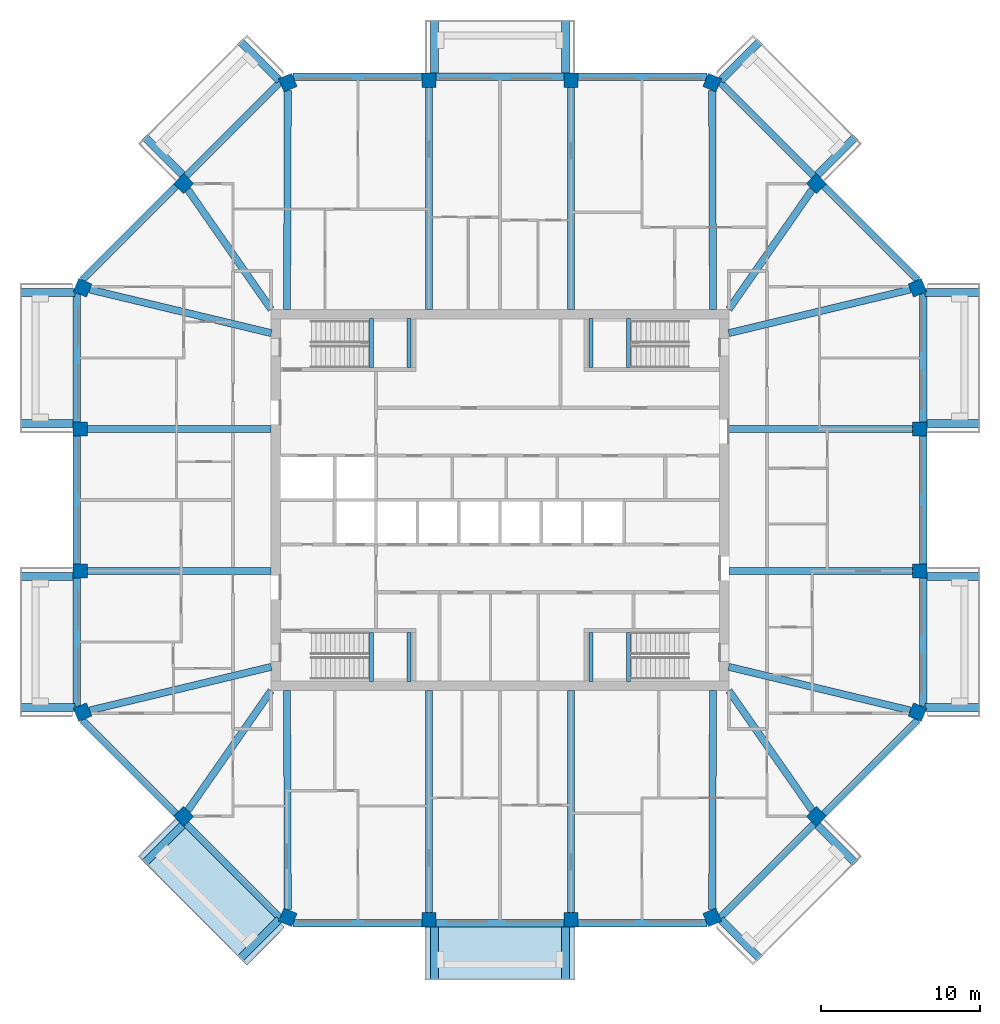
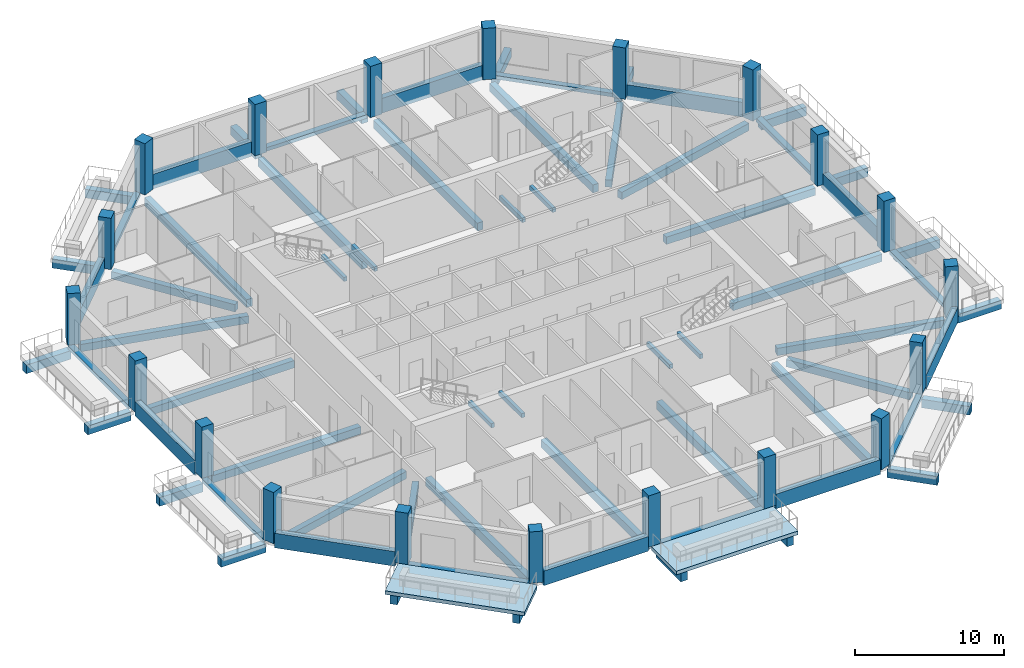
# One storey, part 1 of 12: 68 beams, 20 columns, 2 slabs.
"""IFC4 building model written with IfcOpenShell, lengths in metres."""

from ifc_helpers import new_model, si_unit, direction, frame, origin, origin_2d, place, context, subcontext, project, spatial, polyline, rectangle, outline, extrude, material, layer, layer_set, material_profile, profile_set, type_object, element, save


model = new_model("IFC4")

# Units and contexts
model_context = context("Model", 3, precision=1e-05, world=origin(), true_north=direction((0.0, 1.0)))
body_context = subcontext(model_context, "Body", "Model", "MODEL_VIEW")
ifc_project = project(units=[si_unit("LENGTHUNIT", "METRE"), si_unit("AREAUNIT", "SQUARE_METRE"), si_unit("VOLUMEUNIT", "CUBIC_METRE"), si_unit("PLANEANGLEUNIT", "RADIAN"), si_unit("MASSUNIT", "GRAM", prefix="KILO")], contexts=[model_context])

# Site, building, storey
site_placement = place(None, origin())
site = spatial("IfcSite", under=ifc_project, at=site_placement, CompositionType="ELEMENT")
building_placement = place(site_placement, origin())
building = spatial("IfcBuilding", under=site, at=building_placement, Name="Msitu Wima Residences", CompositionType="ELEMENT")
storey_placement = place(building_placement, frame((0.0, 0.0, 306.300048828125)))
storey = spatial("IfcBuildingStorey", under=building, at=storey_placement, Name="L71", CompositionType="ELEMENT", Elevation=306.300048828125)

# Columns
ifc_material_1 = material(Name="Concrete C50/60", Category="concrete")
ifc_material_profile_1 = material_profile(ifc_material_1, rectangle(XDim=0.89990234375, YDim=0.89990234375, at=origin_2d()), Name="RC 900x900")
ifc_profile_set_1 = profile_set([ifc_material_profile_1], Name="Concrete C50/60")
column_type = type_object("IfcColumnType", Name="Column RC 900x900 Concrete C50/60", PredefinedType="COLUMN", material=ifc_profile_set_1)
for number, where, z_axis, x_axis, name in (
    (1, (26.261962890625, -13.3486328125, 0.0), (0.0, 0.0, 1.0), (0.382683496864, 0.923879505795, 0.0), "Column L71 C-E0"),
    (2, (26.39990234375, -4.46875, 0.0), (0.0, 0.0, 1.0), (0.0, 1.0, 0.0), "Column L71 C-E1"),
    (3, (26.39990234375, 4.46875, 0.0), (0.0, 0.0, 1.0), (0.0, 1.0, 0.0), "Column L71 C-E2"),
    (4, (26.261962890625, 13.3486328125, 0.0), (0.0, 0.0, 1.0), (-0.382683496864, 0.923879505795, 0.0), "Column L71 C-NE0"),
    (5, (19.90283203125, 19.90283203125, 0.0), (0.0, 0.0, 1.0), (-0.707106781187, 0.707106781187, 0.0), "Column L71 C-NE1"),
    (6, (13.3486328125, 26.261962890625, 0.0), (0.0, 0.0, 1.0), (-0.923879505795, 0.382683496864, 0.0), "Column L71 C-N0"),
    (7, (4.46875, 26.39990234375, 0.0), (0.0, 0.0, 1.0), (-1.0, 0.0, 0.0), "Column L71 C-N1"),
    (8, (-4.46875, 26.39990234375, 0.0), (0.0, 0.0, 1.0), (-1.0, 0.0, 0.0), "Column L71 C-N2"),
    (9, (-13.3486328125, 26.261962890625, 0.0), (0.0, 0.0, 1.0), (-0.923879505795, -0.382683496864, 0.0), "Column L71 C-NW0"),
    (10, (-19.90283203125, 19.90283203125, 0.0), (0.0, 0.0, 1.0), (-0.707106781187, -0.707106781187, 0.0), "Column L71 C-NW1"),
    (11, (-26.261962890625, 13.3486328125, 0.0), (0.0, 0.0, 1.0), (-0.382683496864, -0.923879505795, 0.0), "Column L71 C-W0"),
    (12, (-26.39990234375, 4.46875, 0.0), (0.0, 0.0, 1.0), (0.0, -1.0, 0.0), "Column L71 C-W1"),
    (13, (-26.39990234375, -4.46875, 0.0), (0.0, 0.0, 1.0), (0.0, -1.0, 0.0), "Column L71 C-W2"),
    (14, (-26.261962890625, -13.3486328125, 0.0), (0.0, 0.0, 1.0), (0.382683496864, -0.923879505795, 0.0), "Column L71 C-SW0"),
    (15, (-19.90283203125, -19.90283203125, 0.0), (0.0, 0.0, 1.0), (0.707106781187, -0.707106781187, 0.0), "Column L71 C-SW1"),
    (16, (-13.3486328125, -26.261962890625, 0.0), (0.0, 0.0, 1.0), (0.923879505795, -0.382683496864, 0.0), "Column L71 C-S0"),
    (17, (-4.46875, -26.39990234375, 0.0), (0.0, 0.0, 1.0), (1.0, 0.0, 0.0), "Column L71 C-S1"),
    (18, (4.46875, -26.39990234375, 0.0), (0.0, 0.0, 1.0), (1.0, 0.0, 0.0), "Column L71 C-S2"),
    (19, (13.3486328125, -26.261962890625, 0.0), (0.0, 0.0, 1.0), (0.923879505795, 0.382683496864, 0.0), "Column L71 C-SE0"),
    (20, (19.90283203125, -19.90283203125, 0.0), (0.0, 0.0, 1.0), (0.707106781187, 0.707106781187, 0.0), "Column L71 C-SE1"),
):
    element("IfcColumn", number, at=place(storey_placement, frame(where, z_axis=z_axis, x_axis=x_axis)), inside=storey, type_object=column_type, Name=name, PredefinedType="COLUMN", context=body_context, shape_type="SweptSolid", body=[
        extrude(rectangle(XDim=0.89990234375, YDim=0.89990234375, at=origin_2d()), origin(), (0.0, 0.0, 1.0), 4.199951171875),
    ])

# Beams
ifc_material_profile_2 = material_profile(ifc_material_1, rectangle(XDim=0.449951171875, YDim=0.60009765625, at=origin_2d()), Name="RC 450x600")
ifc_profile_set_2 = profile_set([ifc_material_profile_2], Name="Concrete C50/60")
beam_type_1 = type_object("IfcBeamType", Name="Beam RC 450x600 Concrete C50/60", PredefinedType="BEAM", material=ifc_profile_set_2)
beam_1_placement = place(storey_placement, frame((25.819091796875, -13.242431640625, -0.550048828125), z_axis=(-0.972353359268, 0.233514335148, 0.0), x_axis=(-0.233514335148, -0.972353359268, 0.0)))
element("IfcBeam", 21, at=beam_1_placement, inside=storey, type_object=beam_type_1, Name="Beam L71 C-E0", PredefinedType="BEAM", context=body_context, shape_type="SweptSolid", body=[
    extrude(rectangle(XDim=0.449951171875, YDim=0.60009765625, at=origin_2d()), origin(), (0.0, 0.0, 1.0), 11.755615234375),
])
for number, where, z_axis, x_axis, name in (
    (22, (25.949951171875, -4.46875, -0.550048828125), (-1.0, 0.0, 0.0), (0.0, -1.0, 0.0), "Beam L71 C-E1"),
    (23, (25.949951171875, 4.46875, -0.550048828125), (-1.0, 0.0, 0.0), (0.0, -1.0, 0.0), "Beam L71 C-E2"),
):
    element("IfcBeam", number, at=place(storey_placement, frame(where, z_axis=z_axis, x_axis=x_axis)), inside=storey, type_object=beam_type_1, Name=name, PredefinedType="BEAM", context=body_context, shape_type="SweptSolid", body=[
        extrude(rectangle(XDim=0.449951171875, YDim=0.60009765625, at=origin_2d()), origin(), (0.0, 0.0, 1.0), 11.550048828125),
    ])
beam_2_placement = place(storey_placement, frame((25.819091796875, 13.242431640625, -0.550048828125), z_axis=(-0.972353359268, -0.233514335148, 0.0), x_axis=(0.233514335148, -0.972353359268, 0.0)))
element("IfcBeam", 24, at=beam_2_placement, inside=storey, type_object=beam_type_1, Name="Beam L71 C-NE0", PredefinedType="BEAM", context=body_context, shape_type="SweptSolid", body=[
    extrude(rectangle(XDim=0.449951171875, YDim=0.60009765625, at=origin_2d()), origin(), (0.0, 0.0, 1.0), 11.755615234375),
])
for number, where, z_axis, x_axis, name in (
    (25, (19.6416015625, 19.52783203125, -0.550048828125), (-0.571427822633, -0.820652328042, 0.0), (0.820652328042, -0.571427822633, 0.0), "Beam L71 C-NE1"),
    (26, (-19.6416015625, 19.52783203125, -0.550048828125), (0.571427822633, -0.820652328042, 0.0), (0.820652328042, 0.571427822633, 0.0), "Beam L71 C-NW1"),
):
    element("IfcBeam", number, at=place(storey_placement, frame(where, z_axis=z_axis, x_axis=x_axis)), inside=storey, type_object=beam_type_1, Name=name, PredefinedType="BEAM", context=body_context, shape_type="SweptSolid", body=[
        extrude(rectangle(XDim=0.449951171875, YDim=0.60009765625, at=origin_2d()), origin(), (0.0, 0.0, 1.0), 9.173095703125),
    ])
beam_3_placement = place(storey_placement, frame((-25.819091796875, 13.242431640625, -0.550048828125), z_axis=(0.972353359268, -0.233514335148, 0.0), x_axis=(0.233514335148, 0.972353359268, 0.0)))
element("IfcBeam", 27, at=beam_3_placement, inside=storey, type_object=beam_type_1, Name="Beam L71 C-W0", PredefinedType="BEAM", context=body_context, shape_type="SweptSolid", body=[
    extrude(rectangle(XDim=0.449951171875, YDim=0.60009765625, at=origin_2d()), origin(), (0.0, 0.0, 1.0), 11.755615234375),
])
for number, where, z_axis, x_axis, name in (
    (28, (-25.949951171875, 4.46875, -0.550048828125), (1.0, 0.0, 0.0), (0.0, 1.0, 0.0), "Beam L71 C-W1"),
    (29, (-25.949951171875, -4.46875, -0.550048828125), (1.0, 0.0, 0.0), (0.0, 1.0, 0.0), "Beam L71 C-W2"),
):
    element("IfcBeam", number, at=place(storey_placement, frame(where, z_axis=z_axis, x_axis=x_axis)), inside=storey, type_object=beam_type_1, Name=name, PredefinedType="BEAM", context=body_context, shape_type="SweptSolid", body=[
        extrude(rectangle(XDim=0.449951171875, YDim=0.60009765625, at=origin_2d()), origin(), (0.0, 0.0, 1.0), 11.550048828125),
    ])
beam_4_placement = place(storey_placement, frame((-25.819091796875, -13.242431640625, -0.550048828125), z_axis=(0.972353359268, 0.233514335148, 0.0), x_axis=(-0.233514335148, 0.972353359268, 0.0)))
element("IfcBeam", 30, at=beam_4_placement, inside=storey, type_object=beam_type_1, Name="Beam L71 C-SW0", PredefinedType="BEAM", context=body_context, shape_type="SweptSolid", body=[
    extrude(rectangle(XDim=0.449951171875, YDim=0.60009765625, at=origin_2d()), origin(), (0.0, 0.0, 1.0), 11.755615234375),
])
for number, where, z_axis, x_axis, name in (
    (31, (-19.6416015625, -19.52783203125, -0.550048828125), (0.571427822633, 0.820652328042, 0.0), (-0.820652328042, 0.571427822633, 0.0), "Beam L71 C-SW1"),
    (32, (19.6416015625, -19.52783203125, -0.550048828125), (-0.571427822633, 0.820652328042, 0.0), (-0.820652328042, -0.571427822633, 0.0), "Beam L71 C-SE1"),
):
    element("IfcBeam", number, at=place(storey_placement, frame(where, z_axis=z_axis, x_axis=x_axis)), inside=storey, type_object=beam_type_1, Name=name, PredefinedType="BEAM", context=body_context, shape_type="SweptSolid", body=[
        extrude(rectangle(XDim=0.449951171875, YDim=0.60009765625, at=origin_2d()), origin(), (0.0, 0.0, 1.0), 9.173095703125),
    ])
ifc_material_profile_3 = material_profile(ifc_material_1, rectangle(XDim=0.449951171875, YDim=0.64990234375, at=origin_2d()), Name="RC 450x650")
ifc_profile_set_3 = profile_set([ifc_material_profile_3], Name="Concrete C50/60")
beam_type_2 = type_object("IfcBeamType", Name="Beam RC 450x650 Concrete C50/60", PredefinedType="BEAM", material=ifc_profile_set_3)
beam_5_placement = place(storey_placement, frame((13.3505859375, 25.774169921875, -0.574951171875), z_axis=(0.003594933206, -0.999993538207, 0.0), x_axis=(0.999993538207, 0.003594933206, 0.0)))
element("IfcBeam", 33, at=beam_5_placement, inside=storey, type_object=beam_type_2, Name="Beam L71 C-N0", PredefinedType="BEAM", context=body_context, shape_type="SweptSolid", body=[
    extrude(rectangle(XDim=0.449951171875, YDim=0.64990234375, at=origin_2d()), origin(), (0.0, 0.0, 1.0), 13.7861328125),
])
for number, where, z_axis, x_axis, name in (
    (34, (4.46875, 25.949951171875, -0.574951171875), (0.0, -1.0, 0.0), (1.0, 0.0, 0.0), "Beam L71 C-N1"),
    (35, (-4.46875, 25.949951171875, -0.574951171875), (0.0, -1.0, 0.0), (1.0, 0.0, 0.0), "Beam L71 C-N2"),
):
    element("IfcBeam", number, at=place(storey_placement, frame(where, z_axis=z_axis, x_axis=x_axis)), inside=storey, type_object=beam_type_2, Name=name, PredefinedType="BEAM", context=body_context, shape_type="SweptSolid", body=[
        extrude(rectangle(XDim=0.449951171875, YDim=0.64990234375, at=origin_2d()), origin(), (0.0, 0.0, 1.0), 13.949951171875),
    ])
for number, where, z_axis, x_axis, name in (
    (36, (-13.3505859375, 25.774169921875, -0.574951171875), (-0.003594933206, -0.999993538207, 0.0), (0.999993538207, -0.003594933206, 0.0), "Beam L71 C-NW0"),
    (37, (-13.3505859375, -25.774169921875, -0.574951171875), (-0.003594933206, 0.999993538207, 0.0), (-0.999993538207, -0.003594933206, 0.0), "Beam L71 C-S0"),
):
    element("IfcBeam", number, at=place(storey_placement, frame(where, z_axis=z_axis, x_axis=x_axis)), inside=storey, type_object=beam_type_2, Name=name, PredefinedType="BEAM", context=body_context, shape_type="SweptSolid", body=[
        extrude(rectangle(XDim=0.449951171875, YDim=0.64990234375, at=origin_2d()), origin(), (0.0, 0.0, 1.0), 13.7861328125),
    ])
for number, where, z_axis, x_axis, name in (
    (38, (-4.46875, -25.949951171875, -0.574951171875), (0.0, 1.0, 0.0), (-1.0, 0.0, 0.0), "Beam L71 C-S1"),
    (39, (4.46875, -25.949951171875, -0.574951171875), (0.0, 1.0, 0.0), (-1.0, 0.0, 0.0), "Beam L71 C-S2"),
):
    element("IfcBeam", number, at=place(storey_placement, frame(where, z_axis=z_axis, x_axis=x_axis)), inside=storey, type_object=beam_type_2, Name=name, PredefinedType="BEAM", context=body_context, shape_type="SweptSolid", body=[
        extrude(rectangle(XDim=0.449951171875, YDim=0.64990234375, at=origin_2d()), origin(), (0.0, 0.0, 1.0), 13.949951171875),
    ])
beam_6_placement = place(storey_placement, frame((13.3505859375, -25.774169921875, -0.574951171875), z_axis=(0.003594933206, 0.999993538207, 0.0), x_axis=(-0.999993538207, 0.003594933206, 0.0)))
element("IfcBeam", 40, at=beam_6_placement, inside=storey, type_object=beam_type_2, Name="Beam L71 C-SE0", PredefinedType="BEAM", context=body_context, shape_type="SweptSolid", body=[
    extrude(rectangle(XDim=0.449951171875, YDim=0.64990234375, at=origin_2d()), origin(), (0.0, 0.0, 1.0), 13.7861328125),
])
ifc_material_profile_4 = material_profile(ifc_material_1, rectangle(XDim=0.5, YDim=0.699951171875, at=origin_2d()), Name="RC 500x700")
ifc_profile_set_4 = profile_set([ifc_material_profile_4], Name="Concrete C50/60")
beam_type_3 = type_object("IfcBeamType", Name="Cantilever beam RC 500x700 Concrete C50/60", PredefinedType="BEAM", material=ifc_profile_set_4)
beam_7_placement = place(storey_placement, frame((26.73095703125, -13.055908203125, -0.650146484375), z_axis=(1.0, 0.0, 0.0), x_axis=(0.0, 1.0, 0.0)))
element("IfcBeam", 41, at=beam_7_placement, inside=storey, type_object=beam_type_3, Name="Cantilever beam L71 BA-E0 A", PredefinedType="BEAM", context=body_context, shape_type="SweptSolid", body=[
    extrude(rectangle(XDim=0.5, YDim=0.699951171875, at=origin_2d()), origin(), (0.0, 0.0, 1.0), 3.468994140625),
])
for number, where, z_axis, x_axis, name in (
    (42, (26.85009765625, -4.818603515625, -0.650146484375), (1.0, 0.0, 0.0), (0.0, 1.0, 0.0), "Cantilever beam L71 BA-E0 B"),
    (43, (26.85009765625, 4.818603515625, -0.650146484375), (1.0, 0.0, 0.0), (0.0, 1.0, 0.0), "Cantilever beam L71 BA-E2 A"),
):
    element("IfcBeam", number, at=place(storey_placement, frame(where, z_axis=z_axis, x_axis=x_axis)), inside=storey, type_object=beam_type_3, Name=name, PredefinedType="BEAM", context=body_context, shape_type="SweptSolid", body=[
        extrude(rectangle(XDim=0.5, YDim=0.699951171875, at=origin_2d()), origin(), (0.0, 0.0, 1.0), 3.349853515625),
    ])
beam_8_placement = place(storey_placement, frame((26.73095703125, 13.055908203125, -0.650146484375), z_axis=(1.0, 0.0, 0.0), x_axis=(0.0, 1.0, 0.0)))
element("IfcBeam", 44, at=beam_8_placement, inside=storey, type_object=beam_type_3, Name="Cantilever beam L71 BA-E2 B", PredefinedType="BEAM", context=body_context, shape_type="SweptSolid", body=[
    extrude(rectangle(XDim=0.5, YDim=0.699951171875, at=origin_2d()), origin(), (0.0, 0.0, 1.0), 3.468994140625),
])
beam_9_placement = place(storey_placement, frame((19.9736328125, 20.46875, -0.650146484375), z_axis=(0.707143219659, 0.707070340836, 0.0), x_axis=(-0.707070340836, 0.707143219659, 0.0)))
element("IfcBeam", 45, at=beam_9_placement, inside=storey, type_object=beam_type_3, Name="Cantilever beam L71 BA-NE1 A", PredefinedType="BEAM", context=body_context, shape_type="SweptSolid", body=[
    extrude(rectangle(XDim=0.5, YDim=0.699951171875, at=origin_2d()), origin(), (0.0, 0.0, 1.0), 3.349853515625),
])
beam_10_placement = place(storey_placement, frame((13.887451171875, 26.386474609375, -0.650146484375), z_axis=(0.707071592116, 0.707141968506, 0.0), x_axis=(-0.707141968506, 0.707071592116, 0.0)))
element("IfcBeam", 46, at=beam_10_placement, inside=storey, type_object=beam_type_3, Name="Cantilever beam L71 BA-NE1 B", PredefinedType="BEAM", context=body_context, shape_type="SweptSolid", body=[
    extrude(rectangle(XDim=0.5, YDim=0.699951171875, at=origin_2d()), origin(), (0.0, 0.0, 1.0), 3.468994140625),
])
for number, where, z_axis, x_axis, name in (
    (47, (4.11865234375, 26.85009765625, -0.650146484375), (0.0, 1.0, 0.0), (-1.0, 0.0, 0.0), "Cantilever beam L71 BA-N1 A"),
    (48, (-4.11865234375, 26.85009765625, -0.650146484375), (0.0, 1.0, 0.0), (-1.0, 0.0, 0.0), "Cantilever beam L71 BA-N1 B"),
):
    element("IfcBeam", number, at=place(storey_placement, frame(where, z_axis=z_axis, x_axis=x_axis)), inside=storey, type_object=beam_type_3, Name=name, PredefinedType="BEAM", context=body_context, shape_type="SweptSolid", body=[
        extrude(rectangle(XDim=0.5, YDim=0.699951171875, at=origin_2d()), origin(), (0.0, 0.0, 1.0), 3.349853515625),
    ])
beam_11_placement = place(storey_placement, frame((-13.887451171875, 26.386474609375, -0.650146484375), z_axis=(-0.707071592116, 0.707141968506, 0.0), x_axis=(-0.707141968506, -0.707071592116, 0.0)))
element("IfcBeam", 49, at=beam_11_placement, inside=storey, type_object=beam_type_3, Name="Cantilever beam L71 BA-NW0 A", PredefinedType="BEAM", context=body_context, shape_type="SweptSolid", body=[
    extrude(rectangle(XDim=0.5, YDim=0.699951171875, at=origin_2d()), origin(), (0.0, 0.0, 1.0), 3.468994140625),
])
beam_12_placement = place(storey_placement, frame((-19.9736328125, 20.46875, -0.650146484375), z_axis=(-0.707143219659, 0.707070340836, 0.0), x_axis=(-0.707070340836, -0.707143219659, 0.0)))
element("IfcBeam", 50, at=beam_12_placement, inside=storey, type_object=beam_type_3, Name="Cantilever beam L71 BA-NW0 B", PredefinedType="BEAM", context=body_context, shape_type="SweptSolid", body=[
    extrude(rectangle(XDim=0.5, YDim=0.699951171875, at=origin_2d()), origin(), (0.0, 0.0, 1.0), 3.349853515625),
])
beam_13_placement = place(storey_placement, frame((-26.73095703125, 13.055908203125, -0.650146484375), z_axis=(-1.0, 0.0, 0.0), x_axis=(0.0, -1.0, 0.0)))
element("IfcBeam", 51, at=beam_13_placement, inside=storey, type_object=beam_type_3, Name="Cantilever beam L71 BA-W0 A", PredefinedType="BEAM", context=body_context, shape_type="SweptSolid", body=[
    extrude(rectangle(XDim=0.5, YDim=0.699951171875, at=origin_2d()), origin(), (0.0, 0.0, 1.0), 3.468994140625),
])
for number, where, z_axis, x_axis, name in (
    (52, (-26.85009765625, 4.818603515625, -0.650146484375), (-1.0, 0.0, 0.0), (0.0, -1.0, 0.0), "Cantilever beam L71 BA-W0 B"),
    (53, (-26.85009765625, -4.818603515625, -0.650146484375), (-1.0, 0.0, 0.0), (0.0, -1.0, 0.0), "Cantilever beam L71 BA-W2 A"),
):
    element("IfcBeam", number, at=place(storey_placement, frame(where, z_axis=z_axis, x_axis=x_axis)), inside=storey, type_object=beam_type_3, Name=name, PredefinedType="BEAM", context=body_context, shape_type="SweptSolid", body=[
        extrude(rectangle(XDim=0.5, YDim=0.699951171875, at=origin_2d()), origin(), (0.0, 0.0, 1.0), 3.349853515625),
    ])
beam_14_placement = place(storey_placement, frame((-26.73095703125, -13.055908203125, -0.650146484375), z_axis=(-1.0, 0.0, 0.0), x_axis=(0.0, -1.0, 0.0)))
element("IfcBeam", 54, at=beam_14_placement, inside=storey, type_object=beam_type_3, Name="Cantilever beam L71 BA-W2 B", PredefinedType="BEAM", context=body_context, shape_type="SweptSolid", body=[
    extrude(rectangle(XDim=0.5, YDim=0.699951171875, at=origin_2d()), origin(), (0.0, 0.0, 1.0), 3.468994140625),
])
beam_15_placement = place(storey_placement, frame((-19.9736328125, -20.46875, -0.650146484375), z_axis=(-0.707143219659, -0.707070340836, 0.0), x_axis=(0.707070340836, -0.707143219659, 0.0)))
element("IfcBeam", 55, at=beam_15_placement, inside=storey, type_object=beam_type_3, Name="Cantilever beam L71 BA-SW1 A", PredefinedType="BEAM", context=body_context, shape_type="SweptSolid", body=[
    extrude(rectangle(XDim=0.5, YDim=0.699951171875, at=origin_2d()), origin(), (0.0, 0.0, 1.0), 3.349853515625),
])
beam_16_placement = place(storey_placement, frame((-13.887451171875, -26.386474609375, -0.650146484375), z_axis=(-0.707071592116, -0.707141968506, 0.0), x_axis=(0.707141968506, -0.707071592116, 0.0)))
element("IfcBeam", 56, at=beam_16_placement, inside=storey, type_object=beam_type_3, Name="Cantilever beam L71 BA-SW1 B", PredefinedType="BEAM", context=body_context, shape_type="SweptSolid", body=[
    extrude(rectangle(XDim=0.5, YDim=0.699951171875, at=origin_2d()), origin(), (0.0, 0.0, 1.0), 3.468994140625),
])
for number, where, z_axis, x_axis, name in (
    (57, (-4.11865234375, -26.85009765625, -0.650146484375), (0.0, -1.0, 0.0), (1.0, 0.0, 0.0), "Cantilever beam L71 BA-S1 A"),
    (58, (4.11865234375, -26.85009765625, -0.650146484375), (0.0, -1.0, 0.0), (1.0, 0.0, 0.0), "Cantilever beam L71 BA-S1 B"),
):
    element("IfcBeam", number, at=place(storey_placement, frame(where, z_axis=z_axis, x_axis=x_axis)), inside=storey, type_object=beam_type_3, Name=name, PredefinedType="BEAM", context=body_context, shape_type="SweptSolid", body=[
        extrude(rectangle(XDim=0.5, YDim=0.699951171875, at=origin_2d()), origin(), (0.0, 0.0, 1.0), 3.349853515625),
    ])
beam_17_placement = place(storey_placement, frame((13.887451171875, -26.386474609375, -0.650146484375), z_axis=(0.707071592116, -0.707141968506, 0.0), x_axis=(0.707141968506, 0.707071592116, 0.0)))
element("IfcBeam", 59, at=beam_17_placement, inside=storey, type_object=beam_type_3, Name="Cantilever beam L71 BA-SE0 A", PredefinedType="BEAM", context=body_context, shape_type="SweptSolid", body=[
    extrude(rectangle(XDim=0.5, YDim=0.699951171875, at=origin_2d()), origin(), (0.0, 0.0, 1.0), 3.468994140625),
])
beam_18_placement = place(storey_placement, frame((19.9736328125, -20.46875, -0.650146484375), z_axis=(0.707143219659, -0.707070340836, 0.0), x_axis=(0.707070340836, 0.707143219659, 0.0)))
element("IfcBeam", 60, at=beam_18_placement, inside=storey, type_object=beam_type_3, Name="Cantilever beam L71 BA-SE0 B", PredefinedType="BEAM", context=body_context, shape_type="SweptSolid", body=[
    extrude(rectangle(XDim=0.5, YDim=0.699951171875, at=origin_2d()), origin(), (0.0, 0.0, 1.0), 3.349853515625),
])
ifc_material_profile_5 = material_profile(ifc_material_1, rectangle(XDim=0.449951171875, YDim=0.300048828125, at=origin_2d()), Name="RC 450x300")
ifc_profile_set_5 = profile_set([ifc_material_profile_5], Name="Concrete C50/60")
beam_type_4 = type_object("IfcBeamType", Name="Edge beam RC 450x300 Concrete C50/60", PredefinedType="SPANDREL", material=ifc_profile_set_5)
for number, where, z_axis, x_axis, name in (
    (61, (26.625, -13.02392578125, -0.150146484375), (0.0, 1.0, 0.0), (-1.0, 0.0, 0.0), "Spandrel L71 E0"),
    (62, (26.625, 4.918701171875, -0.150146484375), (0.0, 1.0, 0.0), (-1.0, 0.0, 0.0), "Spandrel L71 E2"),
):
    element("IfcBeam", number, at=place(storey_placement, frame(where, z_axis=z_axis, x_axis=x_axis)), inside=storey, type_object=beam_type_4, Name=name, PredefinedType="SPANDREL", context=body_context, shape_type="SweptSolid", body=[
        extrude(rectangle(XDim=0.449951171875, YDim=0.300048828125, at=origin_2d()), origin(), (0.0, 0.0, 1.0), 8.105224609375),
    ])
beam_19_placement = place(storey_placement, frame((19.743896484375, 20.380126953125, -0.150146484375), z_axis=(-0.707106781187, 0.707106781187, 0.0), x_axis=(-0.707106781187, -0.707106781187, 0.0)))
element("IfcBeam", 63, at=beam_19_placement, inside=storey, type_object=beam_type_4, Name="Spandrel L71 NE1", PredefinedType="SPANDREL", context=body_context, shape_type="SweptSolid", body=[
    extrude(rectangle(XDim=0.449951171875, YDim=0.300048828125, at=origin_2d()), origin(), (0.0, 0.0, 1.0), 8.3564453125),
])
beam_20_placement = place(storey_placement, frame((4.0185546875, 26.625, -0.150146484375), z_axis=(-1.0, 0.0, 0.0), x_axis=(0.0, -1.0, 0.0)))
element("IfcBeam", 64, at=beam_20_placement, inside=storey, type_object=beam_type_4, Name="Spandrel L71 N1", PredefinedType="SPANDREL", context=body_context, shape_type="SweptSolid", body=[
    extrude(rectangle(XDim=0.449951171875, YDim=0.300048828125, at=origin_2d()), origin(), (0.0, 0.0, 1.0), 8.037109375),
])
beam_21_placement = place(storey_placement, frame((-13.8349609375, 26.2890625, -0.150146484375), z_axis=(-0.707106781187, -0.707106781187, 0.0), x_axis=(0.707106781187, -0.707106781187, 0.0)))
element("IfcBeam", 65, at=beam_21_placement, inside=storey, type_object=beam_type_4, Name="Spandrel L71 NW0", PredefinedType="SPANDREL", context=body_context, shape_type="SweptSolid", body=[
    extrude(rectangle(XDim=0.449951171875, YDim=0.300048828125, at=origin_2d()), origin(), (0.0, 0.0, 1.0), 8.3564453125),
])
for number, where, z_axis, x_axis, name in (
    (66, (-26.625, 13.02392578125, -0.150146484375), (0.0, -1.0, 0.0), (1.0, 0.0, 0.0), "Spandrel L71 W0"),
    (67, (-26.625, -4.918701171875, -0.150146484375), (0.0, -1.0, 0.0), (1.0, 0.0, 0.0), "Spandrel L71 W2"),
):
    element("IfcBeam", number, at=place(storey_placement, frame(where, z_axis=z_axis, x_axis=x_axis)), inside=storey, type_object=beam_type_4, Name=name, PredefinedType="SPANDREL", context=body_context, shape_type="SweptSolid", body=[
        extrude(rectangle(XDim=0.449951171875, YDim=0.300048828125, at=origin_2d()), origin(), (0.0, 0.0, 1.0), 8.105224609375),
    ])
beam_22_placement = place(storey_placement, frame((-19.743896484375, -20.380126953125, -0.150146484375), z_axis=(0.707106781187, -0.707106781187, 0.0), x_axis=(0.707106781187, 0.707106781187, 0.0)))
element("IfcBeam", 68, at=beam_22_placement, inside=storey, type_object=beam_type_4, Name="Spandrel L71 SW1", PredefinedType="SPANDREL", context=body_context, shape_type="SweptSolid", body=[
    extrude(rectangle(XDim=0.449951171875, YDim=0.300048828125, at=origin_2d()), origin(), (0.0, 0.0, 1.0), 8.3564453125),
])
beam_23_placement = place(storey_placement, frame((-4.0185546875, -26.625, -0.150146484375), z_axis=(1.0, 0.0, 0.0), x_axis=(0.0, 1.0, 0.0)))
element("IfcBeam", 69, at=beam_23_placement, inside=storey, type_object=beam_type_4, Name="Spandrel L71 S1", PredefinedType="SPANDREL", context=body_context, shape_type="SweptSolid", body=[
    extrude(rectangle(XDim=0.449951171875, YDim=0.300048828125, at=origin_2d()), origin(), (0.0, 0.0, 1.0), 8.037109375),
])
beam_24_placement = place(storey_placement, frame((13.8349609375, -26.2890625, -0.150146484375), z_axis=(0.707106781187, 0.707106781187, 0.0), x_axis=(-0.707106781187, 0.707106781187, 0.0)))
element("IfcBeam", 70, at=beam_24_placement, inside=storey, type_object=beam_type_4, Name="Spandrel L71 SE0", PredefinedType="SPANDREL", context=body_context, shape_type="SweptSolid", body=[
    extrude(rectangle(XDim=0.449951171875, YDim=0.300048828125, at=origin_2d()), origin(), (0.0, 0.0, 1.0), 8.3564453125),
])
ifc_material_2 = material(Name="Concrete C40/50", Category="concrete")
ifc_material_profile_6 = material_profile(ifc_material_2, rectangle(XDim=0.25, YDim=0.35009765625, at=origin_2d()), Name="RC 250x350")
ifc_profile_set_6 = profile_set([ifc_material_profile_6], Name="Concrete C40/50")
beam_type_5 = type_object("IfcBeamType", Name="Landing beam RC 250x350", PredefinedType="BEAM", material=ifc_profile_set_6)
for number, where, z_axis, x_axis, name in (
    (71, (-8.074951171875, 8.324951171875, 1.724853515625), (0.0, 1.0, 0.0), (-1.0, 0.0, 0.0), "Stair 1 landing beam"),
    (72, (-5.72509765625, 8.324951171875, 1.724853515625), (0.0, 1.0, 0.0), (-1.0, 0.0, 0.0), "Stair 1 landing beam"),
    (73, (-8.074951171875, -11.425048828125, 1.724853515625), (0.0, 1.0, 0.0), (-1.0, 0.0, 0.0), "Stair 2 landing beam"),
    (74, (-5.72509765625, -11.425048828125, 1.724853515625), (0.0, 1.0, 0.0), (-1.0, 0.0, 0.0), "Stair 2 landing beam"),
    (75, (8.074951171875, 8.324951171875, 1.724853515625), (0.0, 1.0, 0.0), (-1.0, 0.0, 0.0), "Stair 3 landing beam"),
    (76, (5.72509765625, 8.324951171875, 1.724853515625), (0.0, 1.0, 0.0), (-1.0, 0.0, 0.0), "Stair 3 landing beam"),
    (77, (8.074951171875, -11.425048828125, 1.724853515625), (0.0, 1.0, 0.0), (-1.0, 0.0, 0.0), "Stair 4 landing beam"),
    (78, (5.72509765625, -11.425048828125, 1.724853515625), (0.0, 1.0, 0.0), (-1.0, 0.0, 0.0), "Stair 4 landing beam"),
):
    element("IfcBeam", number, at=place(storey_placement, frame(where, z_axis=z_axis, x_axis=x_axis)), inside=storey, type_object=beam_type_5, Name=name, PredefinedType="BEAM", context=body_context, shape_type="SweptSolid", body=[
        extrude(rectangle(XDim=0.25, YDim=0.35009765625, at=origin_2d()), origin(), (0.0, 0.0, 1.0), 3.10009765625),
    ])
ifc_material_profile_7 = material_profile(ifc_material_1, rectangle(XDim=0.449951171875, YDim=1.199951171875, at=origin_2d()), Name="RC 450x1200")
ifc_profile_set_7 = profile_set([ifc_material_profile_7], Name="Concrete C50/60")
beam_type_6 = type_object("IfcBeamType", Name="Spandrel RC 450x1200 Concrete C50/60", PredefinedType="SPANDREL", material=ifc_profile_set_7)
beam_25_placement = place(storey_placement, frame((26.625, -4.0185546875, 0.300048828125), z_axis=(0.0, 1.0, 0.0), x_axis=(-1.0, 0.0, 0.0)))
element("IfcBeam", 79, at=beam_25_placement, inside=storey, type_object=beam_type_6, Name="Spandrel L71 E1", PredefinedType="SPANDREL", context=body_context, shape_type="SweptSolid", body=[
    extrude(rectangle(XDim=0.449951171875, YDim=1.199951171875, at=origin_2d()), origin(), (0.0, 0.0, 1.0), 8.037109375),
])
beam_26_placement = place(storey_placement, frame((26.2890625, 13.8349609375, 0.300048828125), z_axis=(-0.707106781187, 0.707106781187, 0.0), x_axis=(-0.707106781187, -0.707106781187, 0.0)))
element("IfcBeam", 80, at=beam_26_placement, inside=storey, type_object=beam_type_6, Name="Spandrel L71 NE0", PredefinedType="SPANDREL", context=body_context, shape_type="SweptSolid", body=[
    extrude(rectangle(XDim=0.449951171875, YDim=1.199951171875, at=origin_2d()), origin(), (0.0, 0.0, 1.0), 8.3564453125),
])
for number, where, z_axis, x_axis, name in (
    (81, (13.02392578125, 26.625, 0.300048828125), (-1.0, 0.0, 0.0), (0.0, -1.0, 0.0), "Spandrel L71 N0"),
    (82, (-4.918701171875, 26.625, 0.300048828125), (-1.0, 0.0, 0.0), (0.0, -1.0, 0.0), "Spandrel L71 N2"),
):
    element("IfcBeam", number, at=place(storey_placement, frame(where, z_axis=z_axis, x_axis=x_axis)), inside=storey, type_object=beam_type_6, Name=name, PredefinedType="SPANDREL", context=body_context, shape_type="SweptSolid", body=[
        extrude(rectangle(XDim=0.449951171875, YDim=1.199951171875, at=origin_2d()), origin(), (0.0, 0.0, 1.0), 8.105224609375),
    ])
beam_27_placement = place(storey_placement, frame((-20.380126953125, 19.743896484375, 0.300048828125), z_axis=(-0.707106781187, -0.707106781187, 0.0), x_axis=(0.707106781187, -0.707106781187, 0.0)))
element("IfcBeam", 83, at=beam_27_placement, inside=storey, type_object=beam_type_6, Name="Spandrel L71 NW1", PredefinedType="SPANDREL", context=body_context, shape_type="SweptSolid", body=[
    extrude(rectangle(XDim=0.449951171875, YDim=1.199951171875, at=origin_2d()), origin(), (0.0, 0.0, 1.0), 8.3564453125),
])
beam_28_placement = place(storey_placement, frame((-26.625, 4.0185546875, 0.300048828125), z_axis=(0.0, -1.0, 0.0), x_axis=(1.0, 0.0, 0.0)))
element("IfcBeam", 84, at=beam_28_placement, inside=storey, type_object=beam_type_6, Name="Spandrel L71 W1", PredefinedType="SPANDREL", context=body_context, shape_type="SweptSolid", body=[
    extrude(rectangle(XDim=0.449951171875, YDim=1.199951171875, at=origin_2d()), origin(), (0.0, 0.0, 1.0), 8.037109375),
])
beam_29_placement = place(storey_placement, frame((-26.2890625, -13.8349609375, 0.300048828125), z_axis=(0.707106781187, -0.707106781187, 0.0), x_axis=(0.707106781187, 0.707106781187, 0.0)))
element("IfcBeam", 85, at=beam_29_placement, inside=storey, type_object=beam_type_6, Name="Spandrel L71 SW0", PredefinedType="SPANDREL", context=body_context, shape_type="SweptSolid", body=[
    extrude(rectangle(XDim=0.449951171875, YDim=1.199951171875, at=origin_2d()), origin(), (0.0, 0.0, 1.0), 8.3564453125),
])
for number, where, z_axis, x_axis, name in (
    (86, (-13.02392578125, -26.625, 0.300048828125), (1.0, 0.0, 0.0), (0.0, 1.0, 0.0), "Spandrel L71 S0"),
    (87, (4.918701171875, -26.625, 0.300048828125), (1.0, 0.0, 0.0), (0.0, 1.0, 0.0), "Spandrel L71 S2"),
):
    element("IfcBeam", number, at=place(storey_placement, frame(where, z_axis=z_axis, x_axis=x_axis)), inside=storey, type_object=beam_type_6, Name=name, PredefinedType="SPANDREL", context=body_context, shape_type="SweptSolid", body=[
        extrude(rectangle(XDim=0.449951171875, YDim=1.199951171875, at=origin_2d()), origin(), (0.0, 0.0, 1.0), 8.105224609375),
    ])
beam_30_placement = place(storey_placement, frame((20.380126953125, -19.743896484375, 0.300048828125), z_axis=(0.707106781187, 0.707106781187, 0.0), x_axis=(-0.707106781187, 0.707106781187, 0.0)))
element("IfcBeam", 88, at=beam_30_placement, inside=storey, type_object=beam_type_6, Name="Spandrel L71 SE1", PredefinedType="SPANDREL", context=body_context, shape_type="SweptSolid", body=[
    extrude(rectangle(XDim=0.449951171875, YDim=1.199951171875, at=origin_2d()), origin(), (0.0, 0.0, 1.0), 8.3564453125),
])

# Slabs
ifc_layer = layer(ifc_material_2, 0.300048828125)
ifc_layer_set = layer_set([ifc_layer], Name="Concrete C40/50")
slab_type = type_object("IfcSlabType", Name="Balcony slab BS300", PredefinedType="FLOOR", material=ifc_layer_set)
slab_1_placement = place(storey_placement, frame((0.0, 0.0, -0.300048828125)))
element("IfcSlab", 89, at=slab_1_placement, inside=storey, type_object=slab_type, Name="Balcony SW1 L71", PredefinedType="FLOOR", context=body_context, shape_type="SweptSolid", body=[
    extrude(outline(polyline([(-13.936767578125, -26.505615234375), (-13.936767578125, -26.505615234375), (-13.59228515625, -26.85009765625), (-13.656005859375, -27.003662109375), (-15.916015625, -29.263671875), (-22.766845703125, -22.4130859375), (-20.39794921875, -20.04443359375), (-13.936767578125, -26.505615234375), (-13.936767578125, -26.505615234375)])), origin(), (0.0, 0.0, 1.0), 0.300048828125),
])
slab_2_placement = place(storey_placement, frame((0.0, 0.0, -0.300048828125)))
element("IfcSlab", 90, at=slab_2_placement, inside=storey, type_object=slab_type, Name="Balcony S1 L71", PredefinedType="FLOOR", context=body_context, shape_type="SweptSolid", body=[
    extrude(outline(polyline([(-4.0185546875, -26.85009765625), (4.0185546875, -26.85009765625), (4.71875, -26.85009765625), (4.71875, -30.199951171875), (-4.71875, -30.199951171875), (-4.71875, -26.85009765625), (-4.0185546875, -26.85009765625)])), origin(), (0.0, 0.0, 1.0), 0.300048828125),
])

save(model, "model.ifc")
